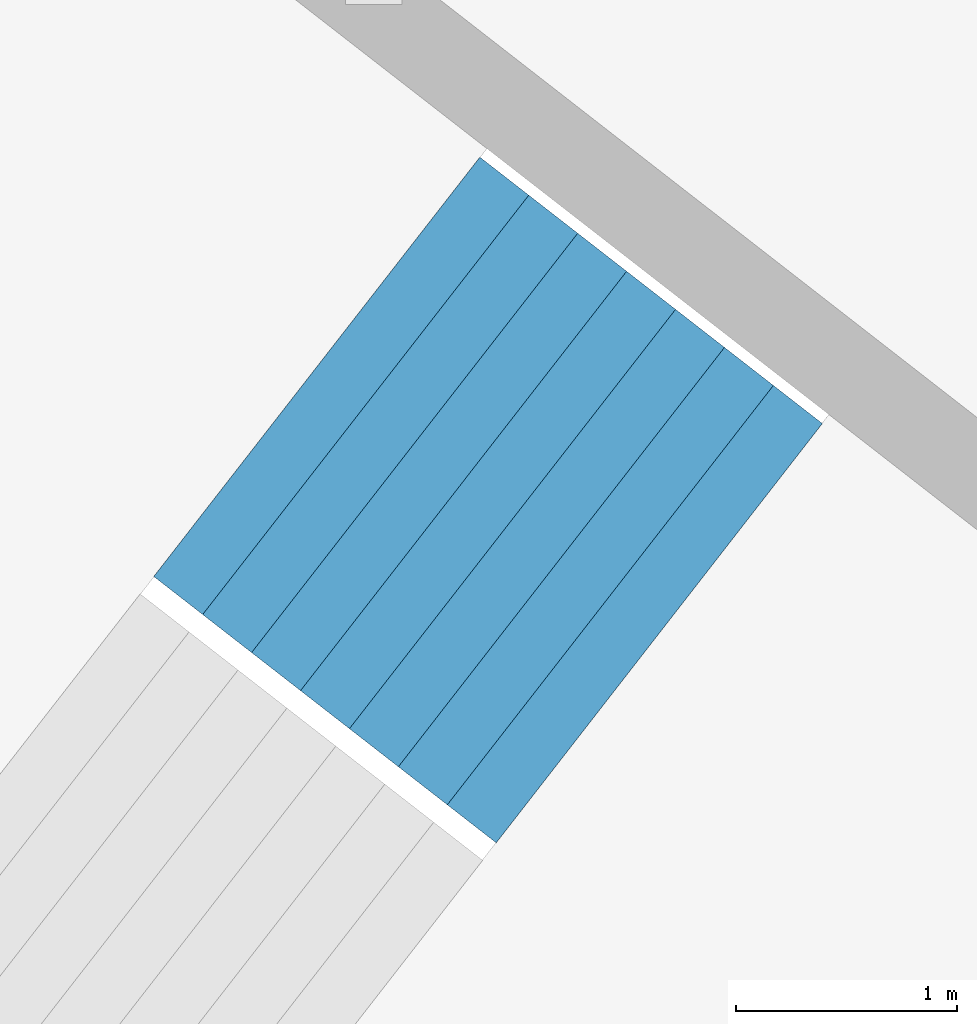
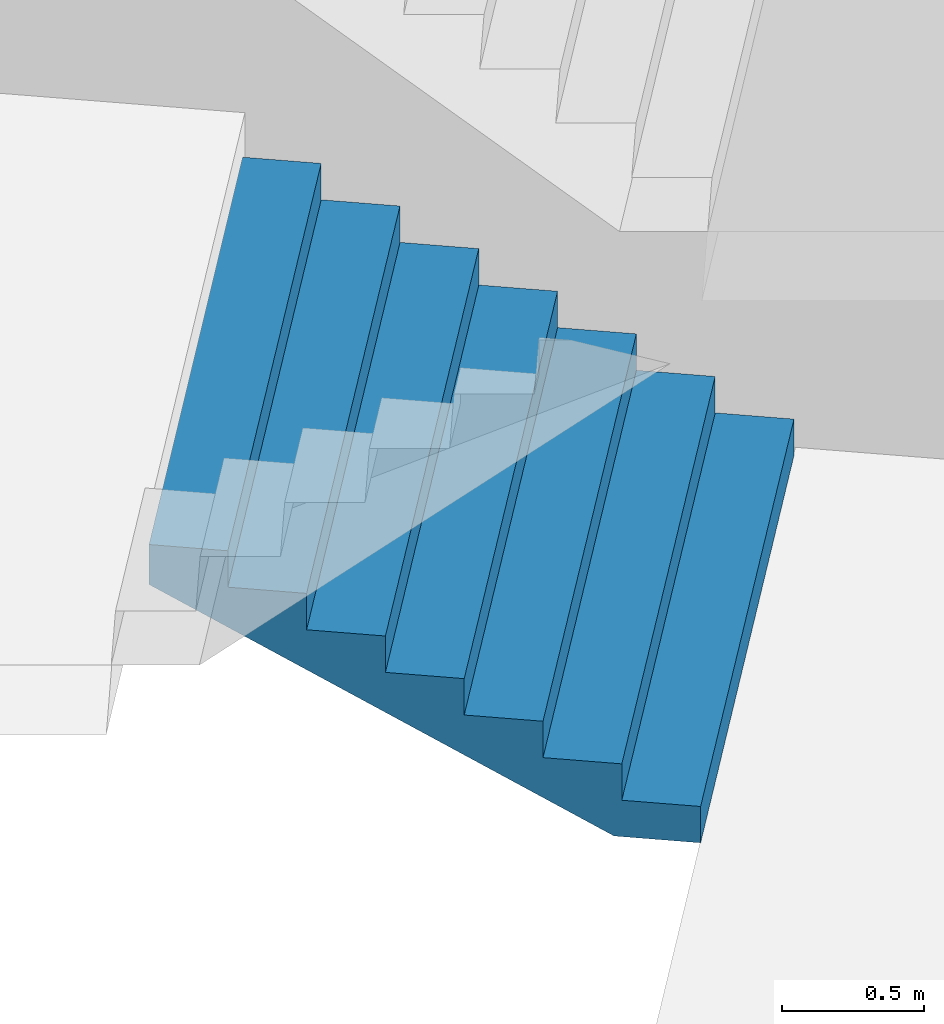
# One storey, part 39 of 73: 1 stair flight, 1 element without a shape of its own.
"""IFC4 building model written with IfcOpenShell, lengths in metres."""

from ifc_helpers import new_model, si_unit, direction, frame, origin, place, context, subcontext, project, spatial, triangles, material, type_object, element, aggregate, save


model = new_model("IFC4")

# Units and contexts
model_context = context("Model", 3, precision=1e-05, world=origin(), true_north=direction((0.0, 1.0)))
body_context = subcontext(model_context, "Body", "Model", "MODEL_VIEW")
ifc_project = project(units=[si_unit("LENGTHUNIT", "METRE"), si_unit("AREAUNIT", "SQUARE_METRE"), si_unit("VOLUMEUNIT", "CUBIC_METRE"), si_unit("PLANEANGLEUNIT", "RADIAN"), si_unit("MASSUNIT", "GRAM", prefix="KILO")], contexts=[model_context])

# Site, building, storey
site_placement = place(None, origin())
site = spatial("IfcSite", under=ifc_project, at=site_placement, CompositionType="ELEMENT")
building_placement = place(site_placement, origin())
building = spatial("IfcBuilding", under=site, at=building_placement, Name="Lantaw Convention Tower", CompositionType="ELEMENT")
storey_placement = place(building_placement, frame((0.0, 0.0, 27.0)))
storey = spatial("IfcBuildingStorey", under=building, at=storey_placement, Name="L04", CompositionType="ELEMENT", Elevation=27.0)

# Stair, stair flight
ifc_material = material(Name="Concrete C35/45", Category="concrete")
stair_type = type_object("IfcStairType", Name="Exit stair 2400 riser 156.25 in 4 flights", PredefinedType="HALF_TURN_STAIR", material=ifc_material)
stair_placement = place(storey_placement, origin())
stair = element("IfcStair", 1, at=stair_placement, inside=storey, type_object=stair_type, Name="Podium exit stair P7 L04", PredefinedType="HALF_TURN_STAIR")
stair_flight_type = type_object("IfcStairFlightType", Name="Stair flight 2400 riser 156.25", PredefinedType="STRAIGHT", material=ifc_material)
stair_flight_placement = place(storey_placement, frame((-27.959716796875, 23.327880859375, 0.0), z_axis=(0.0, 0.0, 1.0), x_axis=(-0.789378829664, 0.613906396186, 0.0)))
stair_flight = element("IfcStairFlight", 2, at=stair_flight_placement, type_object=stair_flight_type, Name="P7 flight 1", NumberOfRisers=8, NumberOfTreads=7, PredefinedType="STRAIGHT", RiserHeight=0.15625, TreadLength=0.28, context=body_context, shape_type="Tessellation", body=[
    triangles([(0.0, 1.199951171875, 0.0), (0.0, 1.199951171875, 0.15625), (0.28, 1.199951171875, 0.0), (0.28, 1.199951171875, 0.15625), (0.28, 1.199951171875, 0.3125), (0.3076200632058044, 1.199951171875, 0.0), (0.3076200632058044, 1.199951171875, 0.3125), (0.56, 1.199951171875, 0.14083701830033238), (0.56, 1.199951171875, 0.3125), (0.56, 1.199951171875, 0.46875), (0.8400000000000001, 1.199951171875, 0.29708701830033235), (0.8400000000000001, 1.199951171875, 0.46875), (0.8400000000000001, 1.199951171875, 0.625), (1.12, 1.199951171875, 0.45333701830033235), (1.12, 1.199951171875, 0.625), (1.12, 1.199951171875, 0.78125), (1.4000000000000001, 1.199951171875, 0.6095870183003324), (1.4000000000000001, 1.199951171875, 0.78125), (1.4000000000000001, 1.199951171875, 0.9375), (1.6800000000000002, 1.199951171875, 0.7658370183003324), (1.6800000000000002, 1.199951171875, 0.9375), (1.6800000000000002, 1.199951171875, 1.09375), (1.9600000000000002, 1.199951171875, 0.9220870183003324), (1.9600000000000002, 1.199951171875, 1.09375), (0.0, -1.199951171875, 0.0), (0.0, -1.199951171875, 0.15625), (0.28, -1.199951171875, 0.0), (0.28, -1.199951171875, 0.15625), (0.28, -1.199951171875, 0.3125), (0.3076200632058044, -1.199951171875, 0.0), (0.3076200632058044, -1.199951171875, 0.3125), (0.56, -1.199951171875, 0.14083701830033238), (0.56, -1.199951171875, 0.3125), (0.56, -1.199951171875, 0.46875), (0.8400000000000001, -1.199951171875, 0.29708701830033235), (0.8400000000000001, -1.199951171875, 0.46875), (0.8400000000000001, -1.199951171875, 0.625), (1.12, -1.199951171875, 0.45333701830033235), (1.12, -1.199951171875, 0.625), (1.12, -1.199951171875, 0.78125), (1.4000000000000001, -1.199951171875, 0.6095870183003324), (1.4000000000000001, -1.199951171875, 0.78125), (1.4000000000000001, -1.199951171875, 0.9375), (1.6800000000000002, -1.199951171875, 0.7658370183003324), (1.6800000000000002, -1.199951171875, 0.9375), (1.6800000000000002, -1.199951171875, 1.09375), (1.9600000000000002, -1.199951171875, 0.9220870183003324), (1.9600000000000002, -1.199951171875, 1.09375), (0.0, 0.239990234375, 0.15625), (0.0, 0.239990234375, 0.0), (0.0, 0.1919921875, 0.15625), (0.0, 0.1919921875, 0.0), (0.0, 0.143994140625, 0.15625), (0.0, 0.143994140625, 0.0), (0.0, 0.09599609375, 0.15625), (0.0, 0.09599609375, 0.0), (0.0, 0.047998046875, 0.15625), (0.0, 0.047998046875, 0.0), (0.0, 0.0, 0.15625), (0.0, 0.0, 0.0), (0.0, -0.047998046875, 0.15625), (0.0, -0.047998046875, 0.0), (0.0, -0.09599609375, 0.15625), (0.0, -0.09599609375, 0.0), (0.0, -0.143994140625, 0.15625), (0.0, -0.143994140625, 0.0), (0.0, -0.1919921875, 0.15625), (0.0, -0.1919921875, 0.0), (0.0, -0.239990234375, 0.15625), (0.0, -0.239990234375, 0.0), (0.28, 0.239990234375, 0.3125), (0.28, 0.239990234375, 0.15625), (0.28, 0.1919921875, 0.3125), (0.28, 0.1919921875, 0.15625), (0.28, 0.143994140625, 0.3125), (0.28, 0.143994140625, 0.15625), (0.28, 0.09599609375, 0.3125), (0.28, 0.09599609375, 0.15625), (0.28, 0.047998046875, 0.3125), (0.28, 0.047998046875, 0.15625), (0.28, 0.0, 0.3125), (0.28, 0.0, 0.15625), (0.28, -0.047998046875, 0.3125), (0.28, -0.047998046875, 0.15625), (0.28, -0.09599609375, 0.3125), (0.28, -0.09599609375, 0.15625), (0.28, -0.143994140625, 0.3125), (0.28, -0.143994140625, 0.15625), (0.28, -0.1919921875, 0.3125), (0.28, -0.1919921875, 0.15625), (0.28, -0.239990234375, 0.3125), (0.28, -0.239990234375, 0.15625), (0.56, 0.239990234375, 0.46875), (0.56, 0.239990234375, 0.3125), (0.56, 0.1919921875, 0.46875), (0.56, 0.1919921875, 0.3125), (0.56, 0.143994140625, 0.46875), (0.56, 0.143994140625, 0.3125), (0.56, 0.09599609375, 0.46875), (0.56, 0.09599609375, 0.3125), (0.56, 0.047998046875, 0.46875), (0.56, 0.047998046875, 0.3125), (0.56, 0.0, 0.46875), (0.56, 0.0, 0.3125), (0.56, -0.047998046875, 0.46875), (0.56, -0.047998046875, 0.3125), (0.56, -0.09599609375, 0.46875), (0.56, -0.09599609375, 0.3125), (0.56, -0.143994140625, 0.46875), (0.56, -0.143994140625, 0.3125), (0.56, -0.1919921875, 0.46875), (0.56, -0.1919921875, 0.3125), (0.56, -0.239990234375, 0.46875), (0.56, -0.239990234375, 0.3125), (0.8400000000000001, 0.239990234375, 0.625), (0.8400000000000001, 0.239990234375, 0.46875), (0.8400000000000001, 0.1919921875, 0.625), (0.8400000000000001, 0.1919921875, 0.46875), (0.8400000000000001, 0.143994140625, 0.625), (0.8400000000000001, 0.143994140625, 0.46875), (0.8400000000000001, 0.09599609375, 0.625), (0.8400000000000001, 0.09599609375, 0.46875), (0.8400000000000001, 0.047998046875, 0.625), (0.8400000000000001, 0.047998046875, 0.46875), (0.8400000000000001, 0.0, 0.625), (0.8400000000000001, 0.0, 0.46875), (0.8400000000000001, -0.047998046875, 0.625), (0.8400000000000001, -0.047998046875, 0.46875), (0.8400000000000001, -0.09599609375, 0.625), (0.8400000000000001, -0.09599609375, 0.46875), (0.8400000000000001, -0.143994140625, 0.625), (0.8400000000000001, -0.143994140625, 0.46875), (0.8400000000000001, -0.1919921875, 0.625), (0.8400000000000001, -0.1919921875, 0.46875), (0.8400000000000001, -0.239990234375, 0.625), (0.8400000000000001, -0.239990234375, 0.46875), (1.12, 0.239990234375, 0.78125), (1.12, 0.239990234375, 0.625), (1.12, 0.1919921875, 0.78125), (1.12, 0.1919921875, 0.625), (1.12, 0.143994140625, 0.78125), (1.12, 0.143994140625, 0.625), (1.12, 0.09599609375, 0.78125), (1.12, 0.09599609375, 0.625), (1.12, 0.047998046875, 0.78125), (1.12, 0.047998046875, 0.625), (1.12, 0.0, 0.78125), (1.12, 0.0, 0.625), (1.12, -0.047998046875, 0.78125), (1.12, -0.047998046875, 0.625), (1.12, -0.09599609375, 0.78125), (1.12, -0.09599609375, 0.625), (1.12, -0.143994140625, 0.78125), (1.12, -0.143994140625, 0.625), (1.12, -0.1919921875, 0.78125), (1.12, -0.1919921875, 0.625), (1.12, -0.239990234375, 0.78125), (1.12, -0.239990234375, 0.625), (1.4000000000000001, 0.239990234375, 0.9375), (1.4000000000000001, 0.239990234375, 0.78125), (1.4000000000000001, 0.1919921875, 0.9375), (1.4000000000000001, 0.1919921875, 0.78125), (1.4000000000000001, 0.143994140625, 0.9375), (1.4000000000000001, 0.143994140625, 0.78125), (1.4000000000000001, 0.09599609375, 0.9375), (1.4000000000000001, 0.09599609375, 0.78125), (1.4000000000000001, 0.047998046875, 0.9375), (1.4000000000000001, 0.047998046875, 0.78125), (1.4000000000000001, 0.0, 0.9375), (1.4000000000000001, 0.0, 0.78125), (1.4000000000000001, -0.047998046875, 0.9375), (1.4000000000000001, -0.047998046875, 0.78125), (1.4000000000000001, -0.09599609375, 0.9375), (1.4000000000000001, -0.09599609375, 0.78125), (1.4000000000000001, -0.143994140625, 0.9375), (1.4000000000000001, -0.143994140625, 0.78125), (1.4000000000000001, -0.1919921875, 0.9375), (1.4000000000000001, -0.1919921875, 0.78125), (1.4000000000000001, -0.239990234375, 0.9375), (1.4000000000000001, -0.239990234375, 0.78125), (1.6800000000000002, 0.239990234375, 1.09375), (1.6800000000000002, 0.239990234375, 0.9375), (1.6800000000000002, 0.1919921875, 1.09375), (1.6800000000000002, 0.1919921875, 0.9375), (1.6800000000000002, 0.143994140625, 1.09375), (1.6800000000000002, 0.143994140625, 0.9375), (1.6800000000000002, 0.09599609375, 1.09375), (1.6800000000000002, 0.09599609375, 0.9375), (1.6800000000000002, 0.047998046875, 1.09375), (1.6800000000000002, 0.047998046875, 0.9375), (1.6800000000000002, 0.0, 1.09375), (1.6800000000000002, 0.0, 0.9375), (1.6800000000000002, -0.047998046875, 1.09375), (1.6800000000000002, -0.047998046875, 0.9375), (1.6800000000000002, -0.09599609375, 1.09375), (1.6800000000000002, -0.09599609375, 0.9375), (1.6800000000000002, -0.143994140625, 1.09375), (1.6800000000000002, -0.143994140625, 0.9375), (1.6800000000000002, -0.1919921875, 1.09375), (1.6800000000000002, -0.1919921875, 0.9375), (1.6800000000000002, -0.239990234375, 1.09375), (1.6800000000000002, -0.239990234375, 0.9375), (0.3076200632058044, 0.239990234375, 0.3125), (0.3076200632058044, 0.1919921875, 0.3125), (0.3076200632058044, 0.143994140625, 0.3125), (0.3076200632058044, 0.09599609375, 0.3125), (0.3076200632058044, 0.047998046875, 0.3125), (0.3076200632058044, 0.0, 0.3125), (0.3076200632058044, -0.047998046875, 0.3125), (0.3076200632058044, -0.09599609375, 0.3125), (0.3076200632058044, -0.143994140625, 0.3125), (0.3076200632058044, -0.1919921875, 0.3125), (0.3076200632058044, -0.239990234375, 0.3125), (1.9600000000000002, 0.239990234375, 1.09375), (1.9600000000000002, 0.1919921875, 1.09375), (1.9600000000000002, 0.143994140625, 1.09375), (1.9600000000000002, 0.09599609375, 1.09375), (1.9600000000000002, 0.047998046875, 1.09375), (1.9600000000000002, 0.0, 1.09375), (1.9600000000000002, -0.047998046875, 1.09375), (1.9600000000000002, -0.09599609375, 1.09375), (1.9600000000000002, -0.143994140625, 1.09375), (1.9600000000000002, -0.1919921875, 1.09375), (1.9600000000000002, -0.239990234375, 1.09375), (1.9600000000000002, 0.239990234375, 0.9220870183003324), (1.9600000000000002, 0.1919921875, 0.9220870183003324), (1.9600000000000002, 0.143994140625, 0.9220870183003324), (1.9600000000000002, 0.09599609375, 0.9220870183003324), (1.9600000000000002, 0.047998046875, 0.9220870183003324), (1.9600000000000002, 0.0, 0.9220870183003324), (1.9600000000000002, -0.047998046875, 0.9220870183003324), (1.9600000000000002, -0.09599609375, 0.9220870183003324), (1.9600000000000002, -0.143994140625, 0.9220870183003324), (1.9600000000000002, -0.1919921875, 0.9220870183003324), (1.9600000000000002, -0.239990234375, 0.9220870183003324), (1.6800000000000002, 0.239990234375, 0.7658370183003324), (1.6800000000000002, 0.1919921875, 0.7658370183003324), (1.6800000000000002, 0.143994140625, 0.7658370183003324), (1.6800000000000002, 0.09599609375, 0.7658370183003324), (1.6800000000000002, 0.047998046875, 0.7658370183003324), (1.6800000000000002, 0.0, 0.7658370183003324), (1.6800000000000002, -0.047998046875, 0.7658370183003324), (1.6800000000000002, -0.09599609375, 0.7658370183003324), (1.6800000000000002, -0.143994140625, 0.7658370183003324), (1.6800000000000002, -0.1919921875, 0.7658370183003324), (1.6800000000000002, -0.239990234375, 0.7658370183003324), (1.4000000000000001, 0.239990234375, 0.6095870183003324), (1.4000000000000001, 0.1919921875, 0.6095870183003324), (1.4000000000000001, 0.143994140625, 0.6095870183003324), (1.4000000000000001, 0.09599609375, 0.6095870183003324), (1.4000000000000001, 0.047998046875, 0.6095870183003324), (1.4000000000000001, 0.0, 0.6095870183003324), (1.4000000000000001, -0.047998046875, 0.6095870183003324), (1.4000000000000001, -0.09599609375, 0.6095870183003324), (1.4000000000000001, -0.143994140625, 0.6095870183003324), (1.4000000000000001, -0.1919921875, 0.6095870183003324), (1.4000000000000001, -0.239990234375, 0.6095870183003324), (1.12, 0.239990234375, 0.45333701830033235), (1.12, 0.1919921875, 0.45333701830033235), (1.12, 0.143994140625, 0.45333701830033235), (1.12, 0.09599609375, 0.45333701830033235), (1.12, 0.047998046875, 0.45333701830033235), (1.12, 0.0, 0.45333701830033235), (1.12, -0.047998046875, 0.45333701830033235), (1.12, -0.09599609375, 0.45333701830033235), (1.12, -0.143994140625, 0.45333701830033235), (1.12, -0.1919921875, 0.45333701830033235), (1.12, -0.239990234375, 0.45333701830033235), (0.8400000000000001, 0.239990234375, 0.29708701830033235), (0.8400000000000001, 0.1919921875, 0.29708701830033235), (0.8400000000000001, 0.143994140625, 0.29708701830033235), (0.8400000000000001, 0.09599609375, 0.29708701830033235), (0.8400000000000001, 0.047998046875, 0.29708701830033235), (0.8400000000000001, 0.0, 0.29708701830033235), (0.8400000000000001, -0.047998046875, 0.29708701830033235), (0.8400000000000001, -0.09599609375, 0.29708701830033235), (0.8400000000000001, -0.143994140625, 0.29708701830033235), (0.8400000000000001, -0.1919921875, 0.29708701830033235), (0.8400000000000001, -0.239990234375, 0.29708701830033235), (0.56, 0.239990234375, 0.14083701830033238), (0.56, 0.1919921875, 0.14083701830033238), (0.56, 0.143994140625, 0.14083701830033238), (0.56, 0.09599609375, 0.14083701830033238), (0.56, 0.047998046875, 0.14083701830033238), (0.56, 0.0, 0.14083701830033238), (0.56, -0.047998046875, 0.14083701830033238), (0.56, -0.09599609375, 0.14083701830033238), (0.56, -0.143994140625, 0.14083701830033238), (0.56, -0.1919921875, 0.14083701830033238), (0.56, -0.239990234375, 0.14083701830033238), (0.3076200632058044, 0.239990234375, 0.0), (0.3076200632058044, 0.1919921875, 0.0), (0.3076200632058044, 0.143994140625, 0.0), (0.3076200632058044, 0.09599609375, 0.0), (0.3076200632058044, 0.047998046875, 0.0), (0.3076200632058044, 0.0, 0.0), (0.3076200632058044, -0.047998046875, 0.0), (0.3076200632058044, -0.09599609375, 0.0), (0.3076200632058044, -0.143994140625, 0.0), (0.3076200632058044, -0.1919921875, 0.0), (0.3076200632058044, -0.239990234375, 0.0), (0.28, 0.239990234375, 0.0), (0.28, 0.1919921875, 0.0), (0.28, 0.143994140625, 0.0), (0.28, 0.09599609375, 0.0), (0.28, 0.047998046875, 0.0), (0.28, 0.0, 0.0), (0.28, -0.047998046875, 0.0), (0.28, -0.09599609375, 0.0), (0.28, -0.143994140625, 0.0), (0.28, -0.1919921875, 0.0), (0.28, -0.239990234375, 0.0)], [[1, 4, 3], [1, 2, 4], [3, 4, 6], [4, 7, 6], [4, 5, 7], [6, 9, 8], [6, 7, 9], [8, 9, 11], [9, 12, 11], [9, 10, 12], [11, 12, 14], [12, 15, 14], [12, 13, 15], [14, 15, 17], [15, 18, 17], [15, 16, 18], [17, 18, 20], [18, 21, 20], [18, 19, 21], [20, 21, 23], [21, 24, 23], [21, 22, 24], [25, 27, 28], [25, 28, 26], [27, 30, 28], [28, 30, 31], [28, 31, 29], [30, 32, 33], [30, 33, 31], [32, 35, 33], [33, 35, 36], [33, 36, 34], [35, 38, 36], [36, 38, 39], [36, 39, 37], [38, 41, 39], [39, 41, 42], [39, 42, 40], [41, 44, 42], [42, 44, 45], [42, 45, 43], [44, 47, 45], [45, 47, 48], [45, 48, 46], [1, 49, 2], [1, 50, 49], [50, 51, 49], [50, 52, 51], [52, 53, 51], [52, 54, 53], [54, 55, 53], [54, 56, 55], [56, 57, 55], [56, 58, 57], [58, 59, 57], [58, 60, 59], [60, 61, 59], [60, 62, 61], [62, 63, 61], [62, 64, 63], [64, 65, 63], [64, 66, 65], [66, 67, 65], [66, 68, 67], [68, 69, 67], [68, 70, 69], [70, 26, 69], [70, 25, 26], [4, 71, 5], [4, 72, 71], [72, 73, 71], [72, 74, 73], [74, 75, 73], [74, 76, 75], [76, 77, 75], [76, 78, 77], [78, 79, 77], [78, 80, 79], [80, 81, 79], [80, 82, 81], [82, 83, 81], [82, 84, 83], [84, 85, 83], [84, 86, 85], [86, 87, 85], [86, 88, 87], [88, 89, 87], [88, 90, 89], [90, 91, 89], [90, 92, 91], [92, 29, 91], [92, 28, 29], [9, 93, 10], [9, 94, 93], [94, 95, 93], [94, 96, 95], [96, 97, 95], [96, 98, 97], [98, 99, 97], [98, 100, 99], [100, 101, 99], [100, 102, 101], [102, 103, 101], [102, 104, 103], [104, 105, 103], [104, 106, 105], [106, 107, 105], [106, 108, 107], [108, 109, 107], [108, 110, 109], [110, 111, 109], [110, 112, 111], [112, 113, 111], [112, 114, 113], [114, 34, 113], [114, 33, 34], [12, 115, 13], [12, 116, 115], [116, 117, 115], [116, 118, 117], [118, 119, 117], [118, 120, 119], [120, 121, 119], [120, 122, 121], [122, 123, 121], [122, 124, 123], [124, 125, 123], [124, 126, 125], [126, 127, 125], [126, 128, 127], [128, 129, 127], [128, 130, 129], [130, 131, 129], [130, 132, 131], [132, 133, 131], [132, 134, 133], [134, 135, 133], [134, 136, 135], [136, 37, 135], [136, 36, 37], [15, 137, 16], [15, 138, 137], [138, 139, 137], [138, 140, 139], [140, 141, 139], [140, 142, 141], [142, 143, 141], [142, 144, 143], [144, 145, 143], [144, 146, 145], [146, 147, 145], [146, 148, 147], [148, 149, 147], [148, 150, 149], [150, 151, 149], [150, 152, 151], [152, 153, 151], [152, 154, 153], [154, 155, 153], [154, 156, 155], [156, 157, 155], [156, 158, 157], [158, 40, 157], [158, 39, 40], [18, 159, 19], [18, 160, 159], [160, 161, 159], [160, 162, 161], [162, 163, 161], [162, 164, 163], [164, 165, 163], [164, 166, 165], [166, 167, 165], [166, 168, 167], [168, 169, 167], [168, 170, 169], [170, 171, 169], [170, 172, 171], [172, 173, 171], [172, 174, 173], [174, 175, 173], [174, 176, 175], [176, 177, 175], [176, 178, 177], [178, 179, 177], [178, 180, 179], [180, 43, 179], [180, 42, 43], [21, 181, 22], [21, 182, 181], [182, 183, 181], [182, 184, 183], [184, 185, 183], [184, 186, 185], [186, 187, 185], [186, 188, 187], [188, 189, 187], [188, 190, 189], [190, 191, 189], [190, 192, 191], [192, 193, 191], [192, 194, 193], [194, 195, 193], [194, 196, 195], [196, 197, 195], [196, 198, 197], [198, 199, 197], [198, 200, 199], [200, 201, 199], [200, 202, 201], [202, 46, 201], [202, 45, 46], [2, 72, 4], [2, 49, 72], [49, 74, 72], [49, 51, 74], [51, 76, 74], [51, 53, 76], [53, 78, 76], [53, 55, 78], [55, 80, 78], [55, 57, 80], [57, 82, 80], [57, 59, 82], [59, 84, 82], [59, 61, 84], [61, 86, 84], [61, 63, 86], [63, 88, 86], [63, 65, 88], [65, 90, 88], [65, 67, 90], [67, 92, 90], [67, 69, 92], [69, 28, 92], [69, 26, 28], [5, 203, 7], [5, 71, 203], [71, 204, 203], [71, 73, 204], [73, 205, 204], [73, 75, 205], [75, 206, 205], [75, 77, 206], [77, 207, 206], [77, 79, 207], [79, 208, 207], [79, 81, 208], [81, 209, 208], [81, 83, 209], [83, 210, 209], [83, 85, 210], [85, 211, 210], [85, 87, 211], [87, 212, 211], [87, 89, 212], [89, 213, 212], [89, 91, 213], [91, 31, 213], [91, 29, 31], [7, 94, 9], [7, 203, 94], [203, 96, 94], [203, 204, 96], [204, 98, 96], [204, 205, 98], [205, 100, 98], [205, 206, 100], [206, 102, 100], [206, 207, 102], [207, 104, 102], [207, 208, 104], [208, 106, 104], [208, 209, 106], [209, 108, 106], [209, 210, 108], [210, 110, 108], [210, 211, 110], [211, 112, 110], [211, 212, 112], [212, 114, 112], [212, 213, 114], [213, 33, 114], [213, 31, 33], [10, 116, 12], [10, 93, 116], [93, 118, 116], [93, 95, 118], [95, 120, 118], [95, 97, 120], [97, 122, 120], [97, 99, 122], [99, 124, 122], [99, 101, 124], [101, 126, 124], [101, 103, 126], [103, 128, 126], [103, 105, 128], [105, 130, 128], [105, 107, 130], [107, 132, 130], [107, 109, 132], [109, 134, 132], [109, 111, 134], [111, 136, 134], [111, 113, 136], [113, 36, 136], [113, 34, 36], [13, 138, 15], [13, 115, 138], [115, 140, 138], [115, 117, 140], [117, 142, 140], [117, 119, 142], [119, 144, 142], [119, 121, 144], [121, 146, 144], [121, 123, 146], [123, 148, 146], [123, 125, 148], [125, 150, 148], [125, 127, 150], [127, 152, 150], [127, 129, 152], [129, 154, 152], [129, 131, 154], [131, 156, 154], [131, 133, 156], [133, 158, 156], [133, 135, 158], [135, 39, 158], [135, 37, 39], [16, 160, 18], [16, 137, 160], [137, 162, 160], [137, 139, 162], [139, 164, 162], [139, 141, 164], [141, 166, 164], [141, 143, 166], [143, 168, 166], [143, 145, 168], [145, 170, 168], [145, 147, 170], [147, 172, 170], [147, 149, 172], [149, 174, 172], [149, 151, 174], [151, 176, 174], [151, 153, 176], [153, 178, 176], [153, 155, 178], [155, 180, 178], [155, 157, 180], [157, 42, 180], [157, 40, 42], [19, 182, 21], [19, 159, 182], [159, 184, 182], [159, 161, 184], [161, 186, 184], [161, 163, 186], [163, 188, 186], [163, 165, 188], [165, 190, 188], [165, 167, 190], [167, 192, 190], [167, 169, 192], [169, 194, 192], [169, 171, 194], [171, 196, 194], [171, 173, 196], [173, 198, 196], [173, 175, 198], [175, 200, 198], [175, 177, 200], [177, 202, 200], [177, 179, 202], [179, 45, 202], [179, 43, 45], [22, 214, 24], [22, 181, 214], [181, 215, 214], [181, 183, 215], [183, 216, 215], [183, 185, 216], [185, 217, 216], [185, 187, 217], [187, 218, 217], [187, 189, 218], [189, 219, 218], [189, 191, 219], [191, 220, 219], [191, 193, 220], [193, 221, 220], [193, 195, 221], [195, 222, 221], [195, 197, 222], [197, 223, 222], [197, 199, 223], [199, 224, 223], [199, 201, 224], [201, 48, 224], [201, 46, 48], [24, 225, 23], [24, 214, 225], [214, 226, 225], [214, 215, 226], [215, 227, 226], [215, 216, 227], [216, 228, 227], [216, 217, 228], [217, 229, 228], [217, 218, 229], [218, 230, 229], [218, 219, 230], [219, 231, 230], [219, 220, 231], [220, 232, 231], [220, 221, 232], [221, 233, 232], [221, 222, 233], [222, 234, 233], [222, 223, 234], [223, 235, 234], [223, 224, 235], [224, 47, 235], [224, 48, 47], [23, 236, 20], [23, 225, 236], [225, 237, 236], [225, 226, 237], [226, 238, 237], [226, 227, 238], [227, 239, 238], [227, 228, 239], [228, 240, 239], [228, 229, 240], [229, 241, 240], [229, 230, 241], [230, 242, 241], [230, 231, 242], [231, 243, 242], [231, 232, 243], [232, 244, 243], [232, 233, 244], [233, 245, 244], [233, 234, 245], [234, 246, 245], [234, 235, 246], [235, 44, 246], [235, 47, 44], [20, 247, 17], [20, 236, 247], [236, 248, 247], [236, 237, 248], [237, 249, 248], [237, 238, 249], [238, 250, 249], [238, 239, 250], [239, 251, 250], [239, 240, 251], [240, 252, 251], [240, 241, 252], [241, 253, 252], [241, 242, 253], [242, 254, 253], [242, 243, 254], [243, 255, 254], [243, 244, 255], [244, 256, 255], [244, 245, 256], [245, 257, 256], [245, 246, 257], [246, 41, 257], [246, 44, 41], [17, 258, 14], [17, 247, 258], [247, 259, 258], [247, 248, 259], [248, 260, 259], [248, 249, 260], [249, 261, 260], [249, 250, 261], [250, 262, 261], [250, 251, 262], [251, 263, 262], [251, 252, 263], [252, 264, 263], [252, 253, 264], [253, 265, 264], [253, 254, 265], [254, 266, 265], [254, 255, 266], [255, 267, 266], [255, 256, 267], [256, 268, 267], [256, 257, 268], [257, 38, 268], [257, 41, 38], [14, 269, 11], [14, 258, 269], [258, 270, 269], [258, 259, 270], [259, 271, 270], [259, 260, 271], [260, 272, 271], [260, 261, 272], [261, 273, 272], [261, 262, 273], [262, 274, 273], [262, 263, 274], [263, 275, 274], [263, 264, 275], [264, 276, 275], [264, 265, 276], [265, 277, 276], [265, 266, 277], [266, 278, 277], [266, 267, 278], [267, 279, 278], [267, 268, 279], [268, 35, 279], [268, 38, 35], [11, 280, 8], [11, 269, 280], [269, 281, 280], [269, 270, 281], [270, 282, 281], [270, 271, 282], [271, 283, 282], [271, 272, 283], [272, 284, 283], [272, 273, 284], [273, 285, 284], [273, 274, 285], [274, 286, 285], [274, 275, 286], [275, 287, 286], [275, 276, 287], [276, 288, 287], [276, 277, 288], [277, 289, 288], [277, 278, 289], [278, 290, 289], [278, 279, 290], [279, 32, 290], [279, 35, 32], [8, 291, 6], [8, 280, 291], [280, 292, 291], [280, 281, 292], [281, 293, 292], [281, 282, 293], [282, 294, 293], [282, 283, 294], [283, 295, 294], [283, 284, 295], [284, 296, 295], [284, 285, 296], [285, 297, 296], [285, 286, 297], [286, 298, 297], [286, 287, 298], [287, 299, 298], [287, 288, 299], [288, 300, 299], [288, 289, 300], [289, 301, 300], [289, 290, 301], [290, 30, 301], [290, 32, 30], [6, 302, 3], [6, 291, 302], [291, 303, 302], [291, 292, 303], [292, 304, 303], [292, 293, 304], [293, 305, 304], [293, 294, 305], [294, 306, 305], [294, 295, 306], [295, 307, 306], [295, 296, 307], [296, 308, 307], [296, 297, 308], [297, 309, 308], [297, 298, 309], [298, 310, 309], [298, 299, 310], [299, 311, 310], [299, 300, 311], [300, 312, 311], [300, 301, 312], [301, 27, 312], [301, 30, 27], [3, 50, 1], [3, 302, 50], [302, 52, 50], [302, 303, 52], [303, 54, 52], [303, 304, 54], [304, 56, 54], [304, 305, 56], [305, 58, 56], [305, 306, 58], [306, 60, 58], [306, 307, 60], [307, 62, 60], [307, 308, 62], [308, 64, 62], [308, 309, 64], [309, 66, 64], [309, 310, 66], [310, 68, 66], [310, 311, 68], [311, 70, 68], [311, 312, 70], [312, 25, 70], [312, 27, 25]], closed=True),
])
aggregate(stair, [stair_flight])

save(model, "model.ifc")
